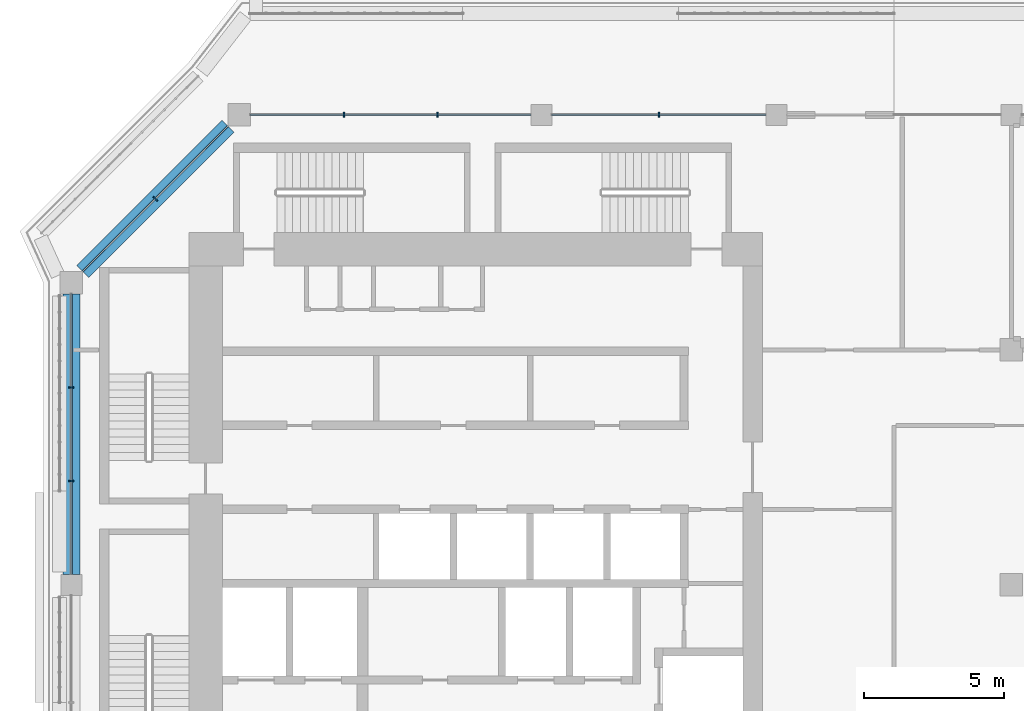
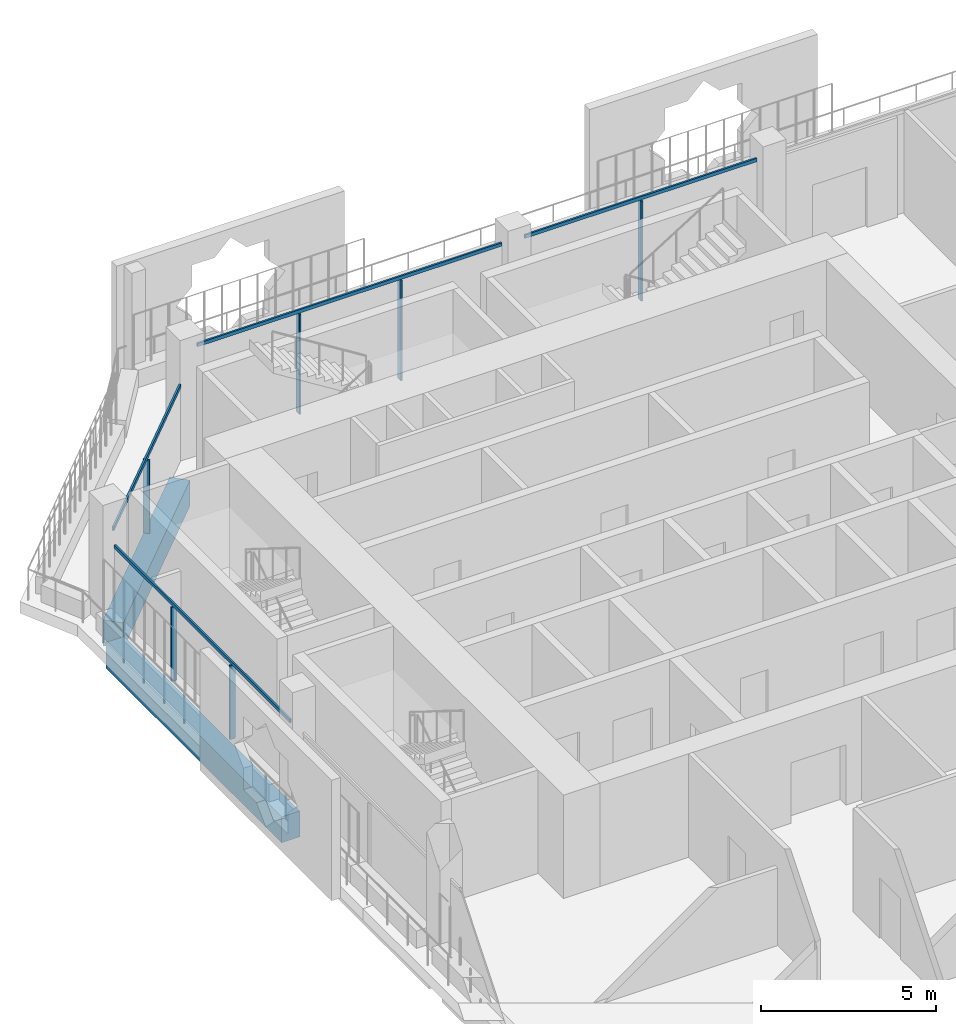
# One storey, part 6 of 21: 10 members, 2 beams, 3 elements without a shape of their own.
"""IFC4 building model written with IfcOpenShell, lengths in metres."""

from ifc_helpers import new_model, si_unit, direction, frame, origin, origin_2d, place, context, subcontext, project, spatial, rectangle, extrude, material, layer, layer_set, material_profile, profile_set, type_object, element, aggregate, save


model = new_model("IFC4")

# Units and contexts
model_context = context("Model", 3, precision=1e-05, world=origin(), true_north=direction((0.0, 1.0)))
body_context = subcontext(model_context, "Body", "Model", "MODEL_VIEW")
ifc_project = project(units=[si_unit("LENGTHUNIT", "METRE"), si_unit("AREAUNIT", "SQUARE_METRE"), si_unit("VOLUMEUNIT", "CUBIC_METRE"), si_unit("PLANEANGLEUNIT", "RADIAN"), si_unit("MASSUNIT", "GRAM", prefix="KILO")], contexts=[model_context])

# Site, building, storey
site_placement = place(None, origin())
site = spatial("IfcSite", under=ifc_project, at=site_placement, CompositionType="ELEMENT")
building_placement = place(site_placement, origin())
building = spatial("IfcBuilding", under=site, at=building_placement, Name="Kawkab Arch Medical Tower", CompositionType="ELEMENT")
storey_placement = place(building_placement, frame((0.0, 0.0, 311.199951171875)))
storey = spatial("IfcBuildingStorey", under=building, at=storey_placement, Name="L72", CompositionType="ELEMENT", Elevation=311.199951171875)

# Curtain wall, members
ifc_material_1 = material(Name="Bronze anodised aluminium curtain wall frame", Category="aluminium")
ifc_layer_1 = layer(ifc_material_1, 0.159912109375)
ifc_layer_set_1 = layer_set([ifc_layer_1], Name="Bronze anodised aluminium curtain wall frame")
curtain_wall_type_1 = type_object("IfcCurtainWallType", Name="CW1 ward curtain wall", PredefinedType="NOTDEFINED", material=ifc_layer_set_1)
placement = place(storey_placement, origin())
curtain_wall_1 = element("IfcCurtainWall", 1, at=placement, inside=storey, type_object=curtain_wall_type_1, Name="CW1 Ward curtain wall R02", PredefinedType="NOTDEFINED")
ifc_material_2 = material(Name="Bronze anodised aluminium curtain wall frame", Category="aluminium")
ifc_material_profile_1 = material_profile(ifc_material_2, rectangle(XDim=0.179931640625, YDim=0.06005859375, at=origin_2d()), Name="AL 60x180")
ifc_profile_set_1 = profile_set([ifc_material_profile_1], Name="Bronze anodised aluminium curtain wall frame")
member_type_1 = type_object("IfcMemberType", Name="CW1 mullion 60 x 180", PredefinedType="MULLION", material=ifc_profile_set_1)
member_1_placement = place(storey_placement, frame((0.0, -9.74169921875, 0.0), z_axis=(0.0, 0.0, 1.0), x_axis=(1.0, 0.0, 0.0)))
member_1 = element("IfcMember", 2, at=member_1_placement, type_object=member_type_1, Name="CW1 mullion 1.1", PredefinedType="MULLION", context=body_context, shape_type="SweptSolid", body=[
    extrude(rectangle(XDim=0.179931640625, YDim=0.06005859375, at=origin_2d()), origin(), (0.0, 0.0, 1.0), 2.580078125),
])
member_2_placement = place(storey_placement, frame((0.0, -13.083251953125, 0.0), z_axis=(0.0, 0.0, 1.0), x_axis=(1.0, 0.0, 0.0)))
member_2 = element("IfcMember", 3, at=member_2_placement, type_object=member_type_1, Name="CW1 mullion 1.2", PredefinedType="MULLION", context=body_context, shape_type="SweptSolid", body=[
    extrude(rectangle(XDim=0.179931640625, YDim=0.06005859375, at=origin_2d()), origin(), (0.0, 0.0, 1.0), 2.580078125),
])

curtain_wall_2 = element("IfcCurtainWall", 4, at=placement, inside=storey, type_object=curtain_wall_type_1, Name="CW1 Ward curtain wall R15", PredefinedType="NOTDEFINED")
member_3_placement = place(storey_placement, frame((21.0, 0.0, 0.0), z_axis=(0.0, 0.0, 1.0), x_axis=(0.0, -1.0, 0.0)))
member_3 = element("IfcMember", 5, at=member_3_placement, type_object=member_type_1, Name="CW1 mullion 4.1", PredefinedType="MULLION", context=body_context, shape_type="SweptSolid", body=[
    extrude(rectangle(XDim=0.179931640625, YDim=0.06005859375, at=origin_2d()), origin(), (0.0, 0.0, 1.0), 3.47998046875),
])
member_4_placement = place(storey_placement, frame((13.083251953125, 0.0, 0.0), z_axis=(0.0, 0.0, 1.0), x_axis=(0.0, -1.0, 0.0)))
member_4 = element("IfcMember", 6, at=member_4_placement, type_object=member_type_1, Name="CW1 mullion 5.1", PredefinedType="MULLION", context=body_context, shape_type="SweptSolid", body=[
    extrude(rectangle(XDim=0.179931640625, YDim=0.06005859375, at=origin_2d()), origin(), (0.0, 0.0, 1.0), 3.47998046875),
])
member_5_placement = place(storey_placement, frame((9.74169921875, 0.0, 0.0), z_axis=(0.0, 0.0, 1.0), x_axis=(0.0, -1.0, 0.0)))
member_5 = element("IfcMember", 7, at=member_5_placement, type_object=member_type_1, Name="CW1 mullion 5.2", PredefinedType="MULLION", context=body_context, shape_type="SweptSolid", body=[
    extrude(rectangle(XDim=0.179931640625, YDim=0.06005859375, at=origin_2d()), origin(), (0.0, 0.0, 1.0), 3.47998046875),
])

# Member
ifc_material_3 = material(Name="Bronze anodised aluminium curtain wall frame", Category="aluminium")
ifc_material_profile_2 = material_profile(ifc_material_3, rectangle(XDim=0.06005859375, YDim=0.1201171875, at=origin_2d()), Name="AL 60x120")
ifc_profile_set_2 = profile_set([ifc_material_profile_2], Name="Bronze anodised aluminium curtain wall frame")
member_type_2 = type_object("IfcMemberType", Name="CW1 transom 120 x 60", PredefinedType="USERDEFINED", material=ifc_profile_set_2)
member_6_placement = place(storey_placement, frame((0.0, -6.39990234375, 2.64013671875), z_axis=(0.0, -1.0, 0.0), x_axis=(1.0, 0.0, 0.0)))
member_6 = element("IfcMember", 8, at=member_6_placement, type_object=member_type_2, Name="CW1 transom 1", ObjectType="TRANSOM", PredefinedType="USERDEFINED", context=body_context, shape_type="SweptSolid", body=[
    extrude(rectangle(XDim=0.06005859375, YDim=0.1201171875, at=origin_2d()), origin(), (0.0, 0.0, 1.0), 10.025146484375),
])

aggregate(curtain_wall_1, [member_6, member_1, member_2])

member_7_placement = place(storey_placement, frame((24.824951171875, 0.0, 3.5400390625), z_axis=(-1.0, 0.0, 0.0), x_axis=(0.0, -1.0, 0.0)))
member_7 = element("IfcMember", 9, at=member_7_placement, type_object=member_type_2, Name="CW1 transom 4", ObjectType="TRANSOM", PredefinedType="USERDEFINED", context=body_context, shape_type="SweptSolid", body=[
    extrude(rectangle(XDim=0.06005859375, YDim=0.1201171875, at=origin_2d()), origin(), (0.0, 0.0, 1.0), 7.64990234375),
])

member_8_placement = place(storey_placement, frame((16.425048828125, 0.0, 3.5400390625), z_axis=(-1.0, 0.0, 0.0), x_axis=(0.0, -1.0, 0.0)))
member_8 = element("IfcMember", 10, at=member_8_placement, type_object=member_type_2, Name="CW1 transom 5", ObjectType="TRANSOM", PredefinedType="USERDEFINED", context=body_context, shape_type="SweptSolid", body=[
    extrude(rectangle(XDim=0.06005859375, YDim=0.1201171875, at=origin_2d()), origin(), (0.0, 0.0, 1.0), 10.025146484375),
])

aggregate(curtain_wall_2, [member_7, member_3, member_8, member_4, member_5])

# Curtain wall, members
ifc_material_4 = material(Name="Bronze anodised aluminium curtain wall frame", Category="aluminium")
ifc_layer_2 = layer(ifc_material_4, 0.159912109375)
ifc_layer_set_2 = layer_set([ifc_layer_2], Name="Bronze anodised aluminium curtain wall frame")
curtain_wall_type_2 = type_object("IfcCurtainWallType", Name="CW2 chamfer curtain wall", PredefinedType="NOTDEFINED", material=ifc_layer_set_2)
curtain_wall_3 = element("IfcCurtainWall", 11, at=placement, inside=storey, type_object=curtain_wall_type_2, Name="CW2 Chamfer curtain wall R01", PredefinedType="NOTDEFINED")
ifc_material_5 = material(Name="Bronze anodised aluminium curtain wall frame", Category="aluminium")
ifc_material_profile_3 = material_profile(ifc_material_5, rectangle(XDim=0.199951171875, YDim=0.06005859375, at=origin_2d()), Name="AL 60x200")
ifc_profile_set_3 = profile_set([ifc_material_profile_3], Name="Bronze anodised aluminium curtain wall frame")
member_type_3 = type_object("IfcMemberType", Name="CW2 mullion 60 x 200", PredefinedType="MULLION", material=ifc_profile_set_3)
member_9_placement = place(storey_placement, frame((3.0, -3.0, 0.0), z_axis=(0.0, 0.0, 1.0), x_axis=(0.707106781187, -0.707106781187, 0.0)))
member_9 = element("IfcMember", 12, at=member_9_placement, type_object=member_type_3, Name="CW2 mullion 1.1", PredefinedType="MULLION", context=body_context, shape_type="SweptSolid", body=[
    extrude(rectangle(XDim=0.199951171875, YDim=0.06005859375, at=origin_2d()), origin(), (0.0, 0.0, 1.0), 2.56005859375),
])
ifc_material_6 = material(Name="Bronze anodised aluminium curtain wall frame", Category="aluminium")
ifc_material_profile_4 = material_profile(ifc_material_6, rectangle(XDim=0.06005859375, YDim=0.139892578125, at=origin_2d()), Name="AL 60x140")
ifc_profile_set_4 = profile_set([ifc_material_profile_4], Name="Bronze anodised aluminium curtain wall frame")
member_type_4 = type_object("IfcMemberType", Name="CW2 transom 140 x 60", PredefinedType="USERDEFINED", material=ifc_profile_set_4)
member_10_placement = place(storey_placement, frame((5.60009765625, -0.39990234375, 2.630126953125), z_axis=(-0.707106781187, -0.707106781187, 0.0), x_axis=(0.707106781187, -0.707106781187, 0.0)))
member_10 = element("IfcMember", 13, at=member_10_placement, type_object=member_type_4, Name="CW2 transom 1", ObjectType="TRANSOM", PredefinedType="USERDEFINED", context=body_context, shape_type="SweptSolid", body=[
    extrude(rectangle(XDim=0.06005859375, YDim=0.139892578125, at=origin_2d()), origin(), (0.0, 0.0, 1.0), 7.354248046875),
])
aggregate(curtain_wall_3, [member_10, member_9])

# Beams
ifc_material_7 = material(Name="Concrete C40/50", Category="concrete")
ifc_material_profile_5 = material_profile(ifc_material_7, rectangle(XDim=0.60009765625, YDim=0.89990234375, at=origin_2d()), Name="RC 600x900")
ifc_profile_set_5 = profile_set([ifc_material_profile_5], Name="Concrete C40/50")
beam_type = type_object("IfcBeamType", Name="RC 600x900 beam C40/50", PredefinedType="BEAM", material=ifc_profile_set_5)
beam_1_placement = place(storey_placement, frame((0.39990234375, -5.60009765625, -1.050048828125), z_axis=(0.707106781187, 0.707106781187, 0.0), x_axis=(-0.707106781187, 0.707106781187, 0.0)))
element("IfcBeam", 14, at=beam_1_placement, inside=storey, type_object=beam_type, Name="Overhang edge beam L72-01", PredefinedType="BEAM", context=body_context, shape_type="SweptSolid", body=[
    extrude(rectangle(XDim=0.60009765625, YDim=0.89990234375, at=origin_2d()), origin(), (0.0, 0.0, 1.0), 7.354248046875),
])
beam_2_placement = place(storey_placement, frame((0.0, -16.425048828125, -1.050048828125), z_axis=(0.0, 1.0, 0.0), x_axis=(-1.0, 0.0, 0.0)))
element("IfcBeam", 15, at=beam_2_placement, inside=storey, type_object=beam_type, Name="Overhang edge beam L72-05", PredefinedType="BEAM", context=body_context, shape_type="SweptSolid", body=[
    extrude(rectangle(XDim=0.60009765625, YDim=0.89990234375, at=origin_2d()), origin(), (0.0, 0.0, 1.0), 10.025146484375),
])

save(model, "model.ifc")
